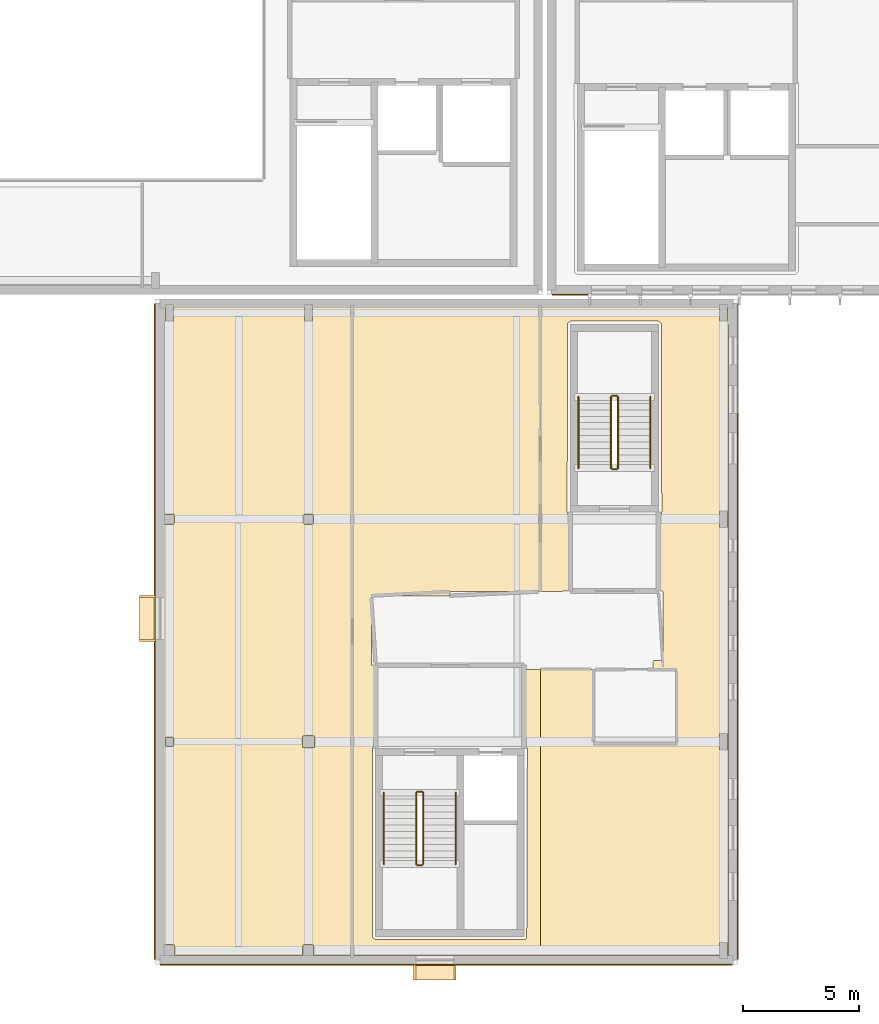
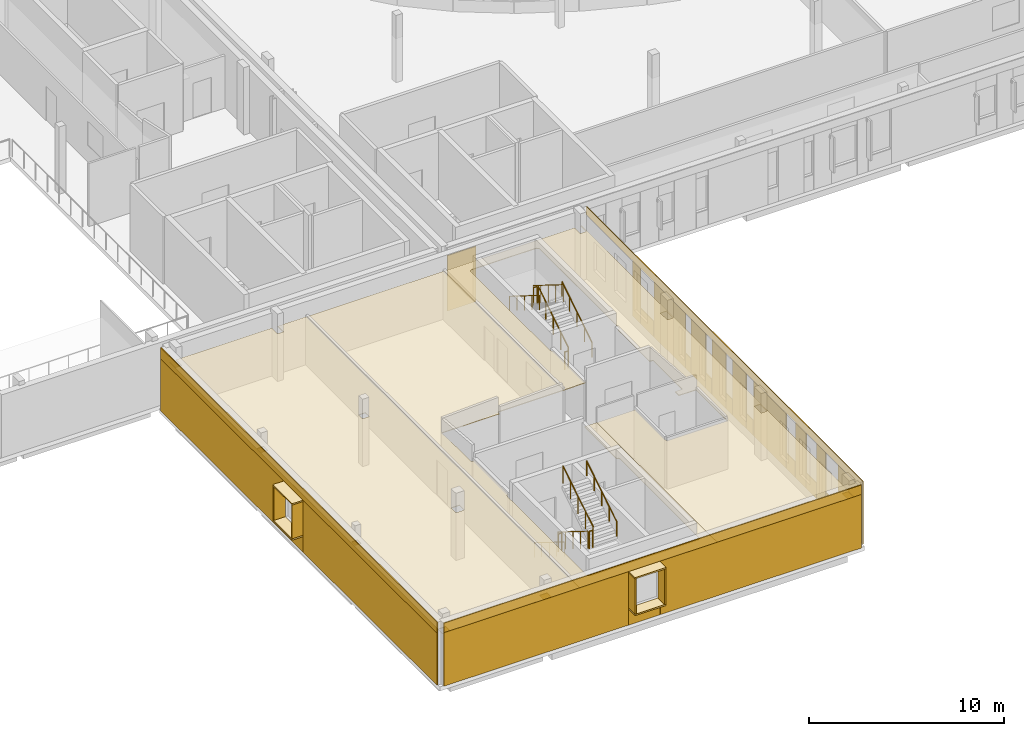
# One storey, part 54 of 73: 38 coverings, 12 railings.
"""IFC4 building model written with IfcOpenShell, lengths in metres."""

import ifcopenshell
import ifcopenshell.guid

model = None  # the IFC model being written
_history = None  # IfcOwnerHistory: only IFC2X3 demands one
_inside = {}  # id of a spatial element -> (the spatial element, [elements in it])
_under = {}  # id of a project, library or spatial element -> (it, [spatial elements below it])
_declared = {}  # id of a project -> (the project, [libraries it declares])
_typed = {}  # id of a type object -> (the type object, [elements of that type])
_made_of = {}  # id of a material, layer set ... -> (it, [elements and type objects made of it])


def new_model(schema):
    """Start an empty IFC model of exactly this schema.

    Asked for "IFC4X3", IfcOpenShell would pick the latest addendum, in which some entities
    have other attributes; the version numbers below select the first issue.
    IFC2X3 requires an IfcOwnerHistory on every rooted entity: one is made here for all.
    """
    global model, _history
    if schema == "IFC4X3":
        model = ifcopenshell.file(schema_version=(4, 3, 0, 0))
    else:
        model = ifcopenshell.file(schema=schema)
    _inside.clear()
    _under.clear()
    _declared.clear()
    _typed.clear()
    _made_of.clear()
    _history = None
    if model.schema == "IFC2X3":
        org = make("IfcOrganization", Name="unknown")
        user = make(
            "IfcPersonAndOrganization",
            ThePerson=make("IfcPerson", FamilyName="unknown"),
            TheOrganization=org,
        )
        app = make(
            "IfcApplication",
            ApplicationDeveloper=org,
            Version="unknown",
            ApplicationFullName="unknown",
            ApplicationIdentifier="unknown",
        )
        _history = make(
            "IfcOwnerHistory",
            OwningUser=user,
            OwningApplication=app,
            ChangeAction="ADDED",
            CreationDate=0,
        )
    return model


def make(cls, **values):
    """One entity of the class cls with the attributes given. An attribute that is None is left unset."""
    return model.create_entity(
        cls, **{name: value for name, value in values.items() if value is not None}
    )


def rooted(cls, **values):
    """An entity with a GlobalId (a new one), such as an element, a storey or a relation."""
    return make(cls, GlobalId=ifcopenshell.guid.new(), OwnerHistory=_history, **values)


def si_unit(unit_type, name, prefix=None):
    """IfcSIUnit, for example si_unit("LENGTHUNIT", "METRE", prefix="MILLI")."""
    return make("IfcSIUnit", UnitType=unit_type, Prefix=prefix, Name=name)


def assignment(units):
    """IfcUnitAssignment: the units of a project."""
    return None if units is None else make("IfcUnitAssignment", Units=units)


def point(xyz):
    """IfcCartesianPoint."""
    return None if xyz is None else make("IfcCartesianPoint", Coordinates=xyz)


def direction(xyz):
    """IfcDirection."""
    return None if xyz is None else make("IfcDirection", DirectionRatios=xyz)


def frame(location, z_axis=None, x_axis=None):
    """IfcAxis2Placement3D, a coordinate frame: its origin and axes. An axis left out is left unset."""
    return make(
        "IfcAxis2Placement3D",
        Location=point(location),
        Axis=direction(z_axis),
        RefDirection=direction(x_axis),
    )


def frame_2d(location, x_axis=None):
    """IfcAxis2Placement2D, a coordinate frame in the plane: its origin and x axis."""
    return make(
        "IfcAxis2Placement2D", Location=point(location), RefDirection=direction(x_axis)
    )


def origin():
    """The frame at (0, 0, 0) with its axes left unset."""
    return frame((0.0, 0.0, 0.0))


def origin_2d():
    """The frame at (0, 0) in the plane with its x axis left unset."""
    return frame_2d((0.0, 0.0))


def place(relative_to, where):
    """IfcLocalPlacement: puts the frame where relative to a parent placement (None: the world)."""
    return make(
        "IfcLocalPlacement", PlacementRelTo=relative_to, RelativePlacement=where
    )


def context(
    kind, dimensions, precision=None, world=None, true_north=None, identifier=None
):
    """IfcGeometricRepresentationContext, for example the 3D "Model" context."""
    return make(
        "IfcGeometricRepresentationContext",
        ContextIdentifier=identifier,
        ContextType=kind,
        CoordinateSpaceDimension=dimensions,
        Precision=precision,
        WorldCoordinateSystem=world,
        TrueNorth=true_north,
    )


def subcontext(parent, identifier, kind, view, scale=None):
    """IfcGeometricRepresentationSubContext, for example "Body" below "Model"."""
    return make(
        "IfcGeometricRepresentationSubContext",
        ContextIdentifier=identifier,
        ContextType=kind,
        ParentContext=parent,
        TargetScale=scale,
        TargetView=view,
    )


def project(units=None, contexts=None):
    """IfcProject with its units and contexts."""
    return rooted(
        "IfcProject",
        Name="project",
        RepresentationContexts=contexts,
        UnitsInContext=assignment(units),
    )


def spatial(cls, under=None, at=None, **own):
    """A site, building, storey or space (cls), placed at a placement, below another one or the project."""
    s = rooted(cls, ObjectPlacement=at, **own)
    if under is not None:
        _under.setdefault(under.id(), (under, []))[1].append(s)
    return s


def polyline(points):
    """IfcPolyline through the points."""
    return make("IfcPolyline", Points=[point(p) for p in points])


def profile(cls, at=None, kind="AREA", **sizes):
    """A parametric profile (cls). Its sizes go by their IFC names, for example OverallWidth=200.0."""
    return make(cls, ProfileType=kind, Position=at, **sizes)


def rectangle(**sizes):
    """IfcRectangleProfileDef."""
    return profile("IfcRectangleProfileDef", **sizes)


def circle(**sizes):
    """IfcCircleProfileDef."""
    return profile("IfcCircleProfileDef", **sizes)


def outline(outer, holes=None, kind="AREA"):
    """IfcArbitraryClosedProfileDef: a profile drawn as a closed curve; with holes, ...WithVoids."""
    if holes is None:
        return make("IfcArbitraryClosedProfileDef", ProfileType=kind, OuterCurve=outer)
    return make(
        "IfcArbitraryProfileDefWithVoids",
        ProfileType=kind,
        OuterCurve=outer,
        InnerCurves=holes,
    )


def extrude(swept, where, along, depth):
    """IfcExtrudedAreaSolid: the profile swept, set in the frame where, extruded along a direction by depth."""
    return make(
        "IfcExtrudedAreaSolid",
        SweptArea=swept,
        Position=where,
        ExtrudedDirection=direction(along),
        Depth=depth,
    )


def shape(context_of_items, identifier, shape_type, items):
    """IfcShapeRepresentation: the items that make up one representation, for example the "Body"."""
    return make(
        "IfcShapeRepresentation",
        ContextOfItems=context_of_items,
        RepresentationIdentifier=identifier,
        RepresentationType=shape_type,
        Items=items,
    )


def material(Name=None, Category=None):
    """IfcMaterial."""
    return make("IfcMaterial", Name=Name, Category=Category)


def layer(
    of_material, thickness, ventilated=None, Name=None, Category=None, Priority=None
):
    """IfcMaterialLayer: one layer of a wall or slab, of a material (None: an air gap)."""
    return make(
        "IfcMaterialLayer",
        Material=of_material,
        LayerThickness=thickness,
        IsVentilated=ventilated,
        Name=Name,
        Category=Category,
        Priority=Priority,
    )


def layer_set(layers, Name=None):
    """IfcMaterialLayerSet."""
    return make("IfcMaterialLayerSet", MaterialLayers=layers, LayerSetName=Name)


def made_of(thing, what):
    """Note that an element or type object is made of a material, layer set ...; save() writes the relation."""
    if what is not None:
        _made_of.setdefault(what.id(), (what, []))[1].append(thing)
    return thing


def type_object(cls, material=None, **own):
    """A type object (cls), such as IfcWallType, which elements share."""
    return made_of(rooted(cls, **own), material)


def element(
    cls,
    number,
    at=None,
    inside=None,
    cuts=None,
    type_object=None,
    material=None,
    context=None,
    identifier="Body",
    shape_type=None,
    held_by="IfcProductDefinitionShape",
    body=None,
    shapes=None,
    **own,
):
    """One element of the class cls, such as IfcWall. Its Tag is "e" and its number.

    at: its placement. inside: the storey or other place that contains it. cuts: it is an
    opening in that element (IfcRelVoidsElement). A single representation is given by context,
    identifier, shape_type and body (its items); several are given by shapes. held_by: the class
    of the entity that holds the representations. save() writes the other relations.
    """
    e = rooted(cls, Tag="e%d" % number, ObjectPlacement=at, **own)
    if body is not None:
        shapes = [shape(context, identifier, shape_type, body)]
    if shapes is not None:
        e.Representation = make(held_by, Representations=shapes)
    if inside is not None:
        _inside.setdefault(inside.id(), (inside, []))[1].append(e)
    if cuts is not None:
        rooted(
            "IfcRelVoidsElement", RelatingBuildingElement=cuts, RelatedOpeningElement=e
        )
    if type_object is not None:
        _typed.setdefault(type_object.id(), (type_object, []))[1].append(e)
    return made_of(e, material)


def aggregate(whole, parts):
    """IfcRelAggregates: a whole, such as a stair, and the parts it consists of."""
    return rooted("IfcRelAggregates", RelatingObject=whole, RelatedObjects=parts)


def save(model, path):
    """Write the relations noted so far, then the file.

    IfcRelAggregates (storeys below a building ...), IfcRelContainedInSpatialStructure (elements
    in a storey), IfcRelDefinesByType, IfcRelAssociatesMaterial and IfcRelDeclares: one each for
    every whole, place, type object, material and project.
    """
    for whole, parts in _under.values():
        aggregate(whole, parts)
    for where, things in _inside.values():
        rooted(
            "IfcRelContainedInSpatialStructure",
            RelatedElements=things,
            RelatingStructure=where,
        )
    for kind, things in _typed.values():
        rooted("IfcRelDefinesByType", RelatedObjects=things, RelatingType=kind)
    for what, things in _made_of.values():
        rooted("IfcRelAssociatesMaterial", RelatedObjects=things, RelatingMaterial=what)
    for by, libraries in _declared.values():
        rooted("IfcRelDeclares", RelatingContext=by, RelatedDefinitions=libraries)
    model.write(path)


model = new_model("IFC4")

# Units and contexts
model_context = context("Model", 3, precision=1e-05, world=origin(), true_north=direction((0.0, 1.0)))
body_context = subcontext(model_context, "Body", "Model", "MODEL_VIEW")
ifc_project = project(units=[si_unit("LENGTHUNIT", "METRE"), si_unit("AREAUNIT", "SQUARE_METRE"), si_unit("VOLUMEUNIT", "CUBIC_METRE"), si_unit("PLANEANGLEUNIT", "RADIAN"), si_unit("MASSUNIT", "GRAM", prefix="KILO")], contexts=[model_context])

# Site, building, storey
site_placement = place(None, origin())
site = spatial("IfcSite", under=ifc_project, at=site_placement, CompositionType="ELEMENT")
building_placement = place(site_placement, origin())
building = spatial("IfcBuilding", under=site, at=building_placement, Name="Mzevani Central Library", CompositionType="ELEMENT")
storey_placement = place(building_placement, frame((0.0, 0.0, 9.60009765625)))
storey = spatial("IfcBuildingStorey", under=building, at=storey_placement, Name="L02", CompositionType="ELEMENT", Elevation=9.60009765625)

# Railings
ifc_material_1 = material(Name="Brushed stainless steel rail", Category="steel")
railing_type_1 = type_object("IfcRailingType", Name="Interior Gallery and Stair Guard 1100", PredefinedType="BALUSTRADE", material=ifc_material_1)
railing_1_placement = place(storey_placement, frame((40.449951171875, 21.0, 0.1748046875)))
element("IfcRailing", 1, at=railing_1_placement, inside=storey, type_object=railing_type_1, Name="L02 ST-07 stair guard 1", PredefinedType="BALUSTRADE", context=body_context, shape_type="SweptSolid", body=[
    extrude(circle(Radius=0.02392578125, at=origin_2d()), frame((0.0, 0.0, 1.076171875), z_axis=(0.0, -0.847998304005, 0.529998940003), x_axis=(1.0, 0.0, 0.0)), (0.0, 0.0, 1.0), 3.632080078125),
    extrude(circle(Radius=0.02099609375, at=origin_2d()), origin(), (0.0, 0.0, 1.0), 1.052001953125),
    extrude(circle(Radius=0.02099609375, at=origin_2d()), frame((0.0, -0.77001953125, 0.481201171875)), (0.0, 0.0, 1.0), 1.052001953125),
    extrude(circle(Radius=0.02099609375, at=origin_2d()), frame((0.0, -1.5400390625, 0.96240234375)), (0.0, 0.0, 1.0), 1.052001953125),
    extrude(circle(Radius=0.02099609375, at=origin_2d()), frame((0.0, -2.31005859375, 1.44384765625)), (0.0, 0.0, 1.0), 1.052001953125),
    extrude(circle(Radius=0.02099609375, at=origin_2d()), frame((0.0, -3.080078125, 1.925048828125)), (0.0, 0.0, 1.0), 1.052001953125),
])
railing_2_placement = place(storey_placement, frame((40.5, 17.8701171875, 2.099853515625)))
element("IfcRailing", 2, at=railing_2_placement, inside=storey, type_object=railing_type_1, Name="L02 ST-07 stair guard 2", PredefinedType="BALUSTRADE", context=body_context, shape_type="SweptSolid", body=[
    extrude(circle(Radius=0.02392578125, at=origin_2d()), frame((0.0, 0.0, 1.076171875), z_axis=(1.0, 0.0, 0.0), x_axis=(0.0, 1.0, 0.0)), (0.0, 0.0, 1.0), 0.199951171875),
    extrude(circle(Radius=0.02099609375, at=origin_2d()), origin(), (0.0, 0.0, 1.0), 1.052001953125),
    extrude(circle(Radius=0.02099609375, at=origin_2d()), frame((0.199951171875, 0.0, 0.0)), (0.0, 0.0, 1.0), 1.052001953125),
])
railing_3_placement = place(storey_placement, frame((40.75, 17.919921875, 2.27490234375)))
element("IfcRailing", 3, at=railing_3_placement, inside=storey, type_object=railing_type_1, Name="L02 ST-07 stair guard 3", PredefinedType="BALUSTRADE", context=body_context, shape_type="SweptSolid", body=[
    extrude(circle(Radius=0.02392578125, at=origin_2d()), frame((0.0, 0.0, 1.076171875), z_axis=(0.0, 0.847998304005, 0.529998940003), x_axis=(-1.0, 0.0, 0.0)), (0.0, 0.0, 1.0), 3.632080078125),
    extrude(circle(Radius=0.02099609375, at=origin_2d()), origin(), (0.0, 0.0, 1.0), 1.052001953125),
    extrude(circle(Radius=0.02099609375, at=origin_2d()), frame((0.0, 0.77001953125, 0.481201171875)), (0.0, 0.0, 1.0), 1.052001953125),
    extrude(circle(Radius=0.02099609375, at=origin_2d()), frame((0.0, 1.5400390625, 0.96240234375)), (0.0, 0.0, 1.0), 1.052001953125),
    extrude(circle(Radius=0.02099609375, at=origin_2d()), frame((0.0, 2.31005859375, 1.44384765625)), (0.0, 0.0, 1.0), 1.052001953125),
    extrude(circle(Radius=0.02099609375, at=origin_2d()), frame((0.0, 3.080078125, 1.925048828125)), (0.0, 0.0, 1.0), 1.052001953125),
])
railing_4_placement = place(storey_placement, frame((40.5, 21.050048828125, 0.0)))
element("IfcRailing", 4, at=railing_4_placement, inside=storey, type_object=railing_type_1, Name="L02 ST-07 stair guard 4", PredefinedType="BALUSTRADE", context=body_context, shape_type="SweptSolid", body=[
    extrude(circle(Radius=0.02392578125, at=origin_2d()), frame((0.0, 0.0, 1.076171875), z_axis=(1.0, 0.0, 0.0), x_axis=(0.0, 1.0, 0.0)), (0.0, 0.0, 1.0), 0.199951171875),
    extrude(circle(Radius=0.02099609375, at=origin_2d()), origin(), (0.0, 0.0, 1.0), 1.052001953125),
    extrude(circle(Radius=0.02099609375, at=origin_2d()), frame((0.199951171875, 0.0, 0.0)), (0.0, 0.0, 1.0), 1.052001953125),
])
railing_5_placement = place(storey_placement, frame((49.14990234375, 35.0, 0.1748046875)))
element("IfcRailing", 5, at=railing_5_placement, inside=storey, type_object=railing_type_1, Name="L02 ST-08 stair guard 1", PredefinedType="BALUSTRADE", context=body_context, shape_type="SweptSolid", body=[
    extrude(circle(Radius=0.02392578125, at=origin_2d()), frame((0.0, 0.0, 1.076171875), z_axis=(0.0, 0.847998304005, 0.529998940003), x_axis=(-1.0, 0.0, 0.0)), (0.0, 0.0, 1.0), 3.632080078125),
    extrude(circle(Radius=0.02099609375, at=origin_2d()), origin(), (0.0, 0.0, 1.0), 1.052001953125),
    extrude(circle(Radius=0.02099609375, at=origin_2d()), frame((0.0, 0.77001953125, 0.481201171875)), (0.0, 0.0, 1.0), 1.052001953125),
    extrude(circle(Radius=0.02099609375, at=origin_2d()), frame((0.0, 1.5400390625, 0.96240234375)), (0.0, 0.0, 1.0), 1.052001953125),
    extrude(circle(Radius=0.02099609375, at=origin_2d()), frame((0.0, 2.31005859375, 1.44384765625)), (0.0, 0.0, 1.0), 1.052001953125),
    extrude(circle(Radius=0.02099609375, at=origin_2d()), frame((0.0, 3.080078125, 1.925048828125)), (0.0, 0.0, 1.0), 1.052001953125),
])
railing_6_placement = place(storey_placement, frame((49.10009765625, 38.1298828125, 2.099853515625)))
element("IfcRailing", 6, at=railing_6_placement, inside=storey, type_object=railing_type_1, Name="L02 ST-08 stair guard 2", PredefinedType="BALUSTRADE", context=body_context, shape_type="SweptSolid", body=[
    extrude(circle(Radius=0.02392578125, at=origin_2d()), frame((0.0, 0.0, 1.076171875), z_axis=(-1.0, 0.0, 0.0), x_axis=(0.0, -1.0, 0.0)), (0.0, 0.0, 1.0), 0.2001953125),
    extrude(circle(Radius=0.02099609375, at=origin_2d()), origin(), (0.0, 0.0, 1.0), 1.052001953125),
    extrude(circle(Radius=0.02099609375, at=origin_2d()), frame((-0.2001953125, 0.0, 0.0)), (0.0, 0.0, 1.0), 1.052001953125),
])
railing_7_placement = place(storey_placement, frame((48.85009765625, 38.080078125, 2.27490234375)))
element("IfcRailing", 7, at=railing_7_placement, inside=storey, type_object=railing_type_1, Name="L02 ST-08 stair guard 3", PredefinedType="BALUSTRADE", context=body_context, shape_type="SweptSolid", body=[
    extrude(circle(Radius=0.02392578125, at=origin_2d()), frame((0.0, 0.0, 1.076171875), z_axis=(0.0, -0.847998304005, 0.529998940003), x_axis=(1.0, 0.0, 0.0)), (0.0, 0.0, 1.0), 3.632080078125),
    extrude(circle(Radius=0.02099609375, at=origin_2d()), origin(), (0.0, 0.0, 1.0), 1.052001953125),
    extrude(circle(Radius=0.02099609375, at=origin_2d()), frame((0.0, -0.77001953125, 0.481201171875)), (0.0, 0.0, 1.0), 1.052001953125),
    extrude(circle(Radius=0.02099609375, at=origin_2d()), frame((0.0, -1.5400390625, 0.96240234375)), (0.0, 0.0, 1.0), 1.052001953125),
    extrude(circle(Radius=0.02099609375, at=origin_2d()), frame((0.0, -2.31005859375, 1.44384765625)), (0.0, 0.0, 1.0), 1.052001953125),
    extrude(circle(Radius=0.02099609375, at=origin_2d()), frame((0.0, -3.080078125, 1.925048828125)), (0.0, 0.0, 1.0), 1.052001953125),
])
railing_8_placement = place(storey_placement, frame((49.10009765625, 34.949951171875, 0.0)))
element("IfcRailing", 8, at=railing_8_placement, inside=storey, type_object=railing_type_1, Name="L02 ST-08 stair guard 4", PredefinedType="BALUSTRADE", context=body_context, shape_type="SweptSolid", body=[
    extrude(circle(Radius=0.02392578125, at=origin_2d()), frame((0.0, 0.0, 1.076171875), z_axis=(-1.0, 0.0, 0.0), x_axis=(0.0, -1.0, 0.0)), (0.0, 0.0, 1.0), 0.2001953125),
    extrude(circle(Radius=0.02099609375, at=origin_2d()), origin(), (0.0, 0.0, 1.0), 1.052001953125),
    extrude(circle(Radius=0.02099609375, at=origin_2d()), frame((-0.2001953125, 0.0, 0.0)), (0.0, 0.0, 1.0), 1.052001953125),
])

# Coverings
ifc_material_2 = material(Name="Limestone ashlar cladding", Category="masonry")
ifc_layer_1 = layer(ifc_material_2, 0.050048828125, Name="Limestone Ashlar Spandrel Cladding")
ifc_layer_set_1 = layer_set([ifc_layer_1], Name="Limestone ashlar cladding")
covering_type_1 = type_object("IfcCoveringType", Name="Limestone Ashlar Spandrel Cladding", PredefinedType="CLADDING", material=ifc_layer_set_1)
covering_1_placement = place(storey_placement, frame((47.14990234375, 42.47607421875, 0.0), z_axis=(0.0, 0.0, 1.0), x_axis=(-1.0, 0.0, 0.0)))
element("IfcCovering", 9, at=covering_1_placement, inside=storey, type_object=covering_type_1, Name="L02 Warm-White Facade Pier 76 (EW4-V1-L02-0011)", PredefinedType="CLADDING", context=body_context, shape_type="SweptSolid", body=[
    extrude(rectangle(XDim=1.679931640625, YDim=0.050048828125, at=origin_2d()), origin(), (0.0, 0.0, 1.0), 3.449951171875),
])
for number, where, z_axis, x_axis, name in (
    (10, (41.255615234375, 13.261962890625, 3.25), (0.0, 0.0, 1.0), (-1.0, 0.0, 0.0), "L02 Deep Window Reveal HD (REV4-0163)"),
    (11, (41.255615234375, 13.261962890625, 0.9599609375), (0.0, 0.0, 1.0), (-1.0, 0.0, 0.0), "L02 Deep Window Reveal SL (REV4-0163)"),
):
    element("IfcCovering", number, at=place(storey_placement, frame(where, z_axis=z_axis, x_axis=x_axis)), inside=storey, type_object=covering_type_1, Name=name, PredefinedType="CLADDING", context=body_context, shape_type="SweptSolid", body=[
        extrude(rectangle(XDim=1.830078125, YDim=0.679931640625, at=origin_2d()), origin(), (0.0, 0.0, 1.0), 0.090087890625),
    ])
for number, where, z_axis, x_axis, name in (
    (12, (42.12548828125, 13.261962890625, 1.0498046875), (0.0, 0.0, 1.0), (-1.0, 0.0, 0.0), "L02 Deep Window Reveal JL (REV4-0163)"),
    (13, (40.385498046875, 13.261962890625, 1.0498046875), (0.0, 0.0, 1.0), (-1.0, 0.0, 0.0), "L02 Deep Window Reveal JR (REV4-0163)"),
):
    element("IfcCovering", number, at=place(storey_placement, frame(where, z_axis=z_axis, x_axis=x_axis)), inside=storey, type_object=covering_type_1, Name=name, PredefinedType="CLADDING", context=body_context, shape_type="SweptSolid", body=[
        extrude(rectangle(XDim=0.090087890625, YDim=0.679931640625, at=origin_2d()), origin(), (0.0, 0.0, 1.0), 2.199951171875),
    ])
covering_2_placement = place(storey_placement, frame((41.75, 13.575927734375, 3.35009765625), z_axis=(0.0, 0.0, 1.0), x_axis=(-1.0, 0.0, 0.0)))
element("IfcCovering", 14, at=covering_2_placement, inside=storey, type_object=covering_type_1, Name="L02 Warm-White Facade Spandrel (EW4-V4-L02-0080)", PredefinedType="CLADDING", context=body_context, shape_type="SweptSolid", body=[
    extrude(rectangle(XDim=24.679931640625, YDim=0.050048828125, at=origin_2d()), origin(), (0.0, 0.0, 1.0), 0.590087890625),
])
covering_3_placement = place(storey_placement, frame((48.145263671875, 13.575927734375, -0.000244140625), z_axis=(0.0, 0.0, 1.0), x_axis=(-1.0, 0.0, 0.0)))
element("IfcCovering", 15, at=covering_3_placement, inside=storey, type_object=covering_type_1, Name="L02 Warm-White Facade Pier 1 (EW4-V4-L02-0080)", PredefinedType="CLADDING", context=body_context, shape_type="SweptSolid", body=[
    extrude(rectangle(XDim=11.889404296875, YDim=0.050048828125, at=origin_2d()), origin(), (0.0, 0.0, 1.0), 3.35009765625),
])
covering_4_placement = place(storey_placement, frame((41.255615234375, 13.575927734375, 0.0), z_axis=(0.0, 0.0, 1.0), x_axis=(-1.0, 0.0, 0.0)))
element("IfcCovering", 16, at=covering_4_placement, inside=storey, type_object=covering_type_1, Name="L02 Warm-White Sill Cladding 2 (EW4-V4-L02-0080)", PredefinedType="CLADDING", context=body_context, shape_type="SweptSolid", body=[
    extrude(rectangle(XDim=1.85009765625, YDim=0.050048828125, at=origin_2d()), origin(), (0.0, 0.0, 1.0), 0.949951171875),
])
covering_5_placement = place(storey_placement, frame((34.8603515625, 13.575927734375, -0.000244140625), z_axis=(0.0, 0.0, 1.0), x_axis=(-1.0, 0.0, 0.0)))
element("IfcCovering", 17, at=covering_5_placement, inside=storey, type_object=covering_type_1, Name="L02 Warm-White Facade Pier 3 (EW4-V4-L02-0080)", PredefinedType="CLADDING", context=body_context, shape_type="SweptSolid", body=[
    extrude(rectangle(XDim=10.900634765625, YDim=0.050048828125, at=origin_2d()), origin(), (0.0, 0.0, 1.0), 3.35009765625),
])
for number, where, z_axis, x_axis, name in (
    (18, (28.862060546875, 28.516357421875, 3.14990234375), (0.0, 0.0, 1.0), (0.0, 1.0, 0.0), "L02 Deep Window Reveal HD (REV4-0164)"),
    (19, (28.862060546875, 28.516357421875, 0.9599609375), (0.0, 0.0, 1.0), (0.0, 1.0, 0.0), "L02 Deep Window Reveal SL (REV4-0164)"),
):
    element("IfcCovering", number, at=place(storey_placement, frame(where, z_axis=z_axis, x_axis=x_axis)), inside=storey, type_object=covering_type_1, Name=name, PredefinedType="CLADDING", context=body_context, shape_type="SweptSolid", body=[
        extrude(rectangle(XDim=1.97998046875, YDim=0.679931640625, at=origin_2d()), origin(), (0.0, 0.0, 1.0), 0.090087890625),
    ])
for number, where, z_axis, x_axis, name in (
    (20, (28.862060546875, 27.5712890625, 1.0498046875), (0.0, 0.0, 1.0), (0.0, 1.0, 0.0), "L02 Deep Window Reveal JL (REV4-0164)"),
    (21, (28.862060546875, 29.46142578125, 1.0498046875), (0.0, 0.0, 1.0), (0.0, 1.0, 0.0), "L02 Deep Window Reveal JR (REV4-0164)"),
):
    element("IfcCovering", number, at=place(storey_placement, frame(where, z_axis=z_axis, x_axis=x_axis)), inside=storey, type_object=covering_type_1, Name=name, PredefinedType="CLADDING", context=body_context, shape_type="SweptSolid", body=[
        extrude(rectangle(XDim=0.090087890625, YDim=0.679931640625, at=origin_2d()), origin(), (0.0, 0.0, 1.0), 2.10009765625),
    ])
covering_6_placement = place(storey_placement, frame((29.176025390625, 27.949951171875, 3.25), z_axis=(0.0, 0.0, 1.0), x_axis=(0.0, 1.0, 0.0)))
element("IfcCovering", 22, at=covering_6_placement, inside=storey, type_object=covering_type_1, Name="L02 Warm-White Facade Spandrel (EW4-V4-L02-0081)", PredefinedType="CLADDING", context=body_context, shape_type="SweptSolid", body=[
    extrude(rectangle(XDim=28.280029296875, YDim=0.050048828125, at=origin_2d()), origin(), (0.0, 0.0, 1.0), 0.68994140625),
])
covering_7_placement = place(storey_placement, frame((29.176025390625, 20.6533203125, 0.0), z_axis=(0.0, 0.0, 1.0), x_axis=(0.0, 1.0, 0.0)))
element("IfcCovering", 23, at=covering_7_placement, inside=storey, type_object=covering_type_1, Name="L02 Warm-White Facade Pier 1 (EW4-V4-L02-0081)", PredefinedType="CLADDING", context=body_context, shape_type="SweptSolid", body=[
    extrude(rectangle(XDim=13.686279296875, YDim=0.050048828125, at=origin_2d()), origin(), (0.0, 0.0, 1.0), 3.25),
])
covering_8_placement = place(storey_placement, frame((29.176025390625, 28.516357421875, 0.0), z_axis=(0.0, 0.0, 1.0), x_axis=(0.0, 1.0, 0.0)))
element("IfcCovering", 24, at=covering_8_placement, inside=storey, type_object=covering_type_1, Name="L02 Warm-White Sill Cladding 2 (EW4-V4-L02-0081)", PredefinedType="CLADDING", context=body_context, shape_type="SweptSolid", body=[
    extrude(rectangle(XDim=2.0, YDim=0.050048828125, at=origin_2d()), origin(), (0.0, 0.0, 1.0), 0.949951171875),
])
covering_9_placement = place(storey_placement, frame((29.176025390625, 35.813232421875, 0.0), z_axis=(0.0, 0.0, 1.0), x_axis=(0.0, 1.0, 0.0)))
element("IfcCovering", 25, at=covering_9_placement, inside=storey, type_object=covering_type_1, Name="L02 Warm-White Facade Pier 3 (EW4-V4-L02-0081)", PredefinedType="CLADDING", context=body_context, shape_type="SweptSolid", body=[
    extrude(rectangle(XDim=12.5537109375, YDim=0.050048828125, at=origin_2d()), origin(), (0.0, 0.0, 1.0), 3.25),
])
covering_10_placement = place(storey_placement, frame((54.323974609375, 27.949951171875, 3.44970703125), z_axis=(0.0, 0.0, 1.0), x_axis=(0.0, -1.0, 0.0)))
element("IfcCovering", 26, at=covering_10_placement, inside=storey, type_object=covering_type_1, Name="L02 Warm-White Facade Spandrel (EW4-V4-L02-0083)", PredefinedType="CLADDING", context=body_context, shape_type="SweptSolid", body=[
    extrude(rectangle(XDim=28.280029296875, YDim=0.050048828125, at=origin_2d()), origin(), (0.0, 0.0, 1.0), 0.489990234375),
])
covering_11_placement = place(storey_placement, frame((54.323974609375, 36.947509765625, 0.0), z_axis=(0.0, 0.0, 1.0), x_axis=(0.0, -1.0, 0.0)))
element("IfcCovering", 27, at=covering_11_placement, inside=storey, type_object=covering_type_1, Name="L02 Warm-White Facade Pier 5 (EW4-V4-L02-0083)", PredefinedType="CLADDING", context=body_context, shape_type="SweptSolid", body=[
    extrude(rectangle(XDim=0.784912109375, YDim=0.050048828125, at=origin_2d()), origin(), (0.0, 0.0, 1.0), 3.449951171875),
])
covering_12_placement = place(storey_placement, frame((54.323974609375, 35.860107421875, 0.0), z_axis=(0.0, 0.0, 1.0), x_axis=(0.0, -1.0, 0.0)))
element("IfcCovering", 28, at=covering_12_placement, inside=storey, type_object=covering_type_1, Name="L02 Warm-White Sill Cladding 6 (EW4-V4-L02-0083)", PredefinedType="CLADDING", context=body_context, shape_type="SweptSolid", body=[
    extrude(rectangle(XDim=1.35009765625, YDim=0.050048828125, at=origin_2d()), origin(), (0.0, 0.0, 1.0), 0.949951171875),
])
covering_13_placement = place(storey_placement, frame((54.323974609375, 33.56005859375, 0.0), z_axis=(0.0, 0.0, 1.0), x_axis=(0.0, -1.0, 0.0)))
element("IfcCovering", 29, at=covering_13_placement, inside=storey, type_object=covering_type_1, Name="L02 Warm-White Facade Pier 7 (EW4-V4-L02-0083)", PredefinedType="CLADDING", context=body_context, shape_type="SweptSolid", body=[
    extrude(rectangle(XDim=3.2099609375, YDim=0.050048828125, at=origin_2d()), origin(), (0.0, 0.0, 1.0), 3.449951171875),
])
covering_14_placement = place(storey_placement, frame((54.323974609375, 31.659912109375, 0.0), z_axis=(0.0, 0.0, 1.0), x_axis=(0.0, -1.0, 0.0)))
element("IfcCovering", 30, at=covering_14_placement, inside=storey, type_object=covering_type_1, Name="L02 Warm-White Sill Cladding 8 (EW4-V4-L02-0083)", PredefinedType="CLADDING", context=body_context, shape_type="SweptSolid", body=[
    extrude(rectangle(XDim=0.550048828125, YDim=0.050048828125, at=origin_2d()), origin(), (0.0, 0.0, 1.0), 0.949951171875),
])
covering_15_placement = place(storey_placement, frame((54.323974609375, 30.62255859375, 0.0), z_axis=(0.0, 0.0, 1.0), x_axis=(0.0, -1.0, 0.0)))
element("IfcCovering", 31, at=covering_15_placement, inside=storey, type_object=covering_type_1, Name="L02 Warm-White Facade Pier 9 (EW4-V4-L02-0083)", PredefinedType="CLADDING", context=body_context, shape_type="SweptSolid", body=[
    extrude(rectangle(XDim=1.485107421875, YDim=0.050048828125, at=origin_2d()), origin(), (0.0, 0.0, 1.0), 3.449951171875),
])
covering_16_placement = place(storey_placement, frame((54.323974609375, 29.56005859375, 0.0), z_axis=(0.0, 0.0, 1.0), x_axis=(0.0, -1.0, 0.0)))
element("IfcCovering", 32, at=covering_16_placement, inside=storey, type_object=covering_type_1, Name="L02 Warm-White Sill Cladding 10 (EW4-V4-L02-0083)", PredefinedType="CLADDING", context=body_context, shape_type="SweptSolid", body=[
    extrude(rectangle(XDim=0.60009765625, YDim=0.050048828125, at=origin_2d()), origin(), (0.0, 0.0, 1.0), 0.949951171875),
])
covering_17_placement = place(storey_placement, frame((54.323974609375, 28.5224609375, 0.0), z_axis=(0.0, 0.0, 1.0), x_axis=(0.0, -1.0, 0.0)))
element("IfcCovering", 33, at=covering_17_placement, inside=storey, type_object=covering_type_1, Name="L02 Warm-White Facade Pier 11 (EW4-V4-L02-0083)", PredefinedType="CLADDING", context=body_context, shape_type="SweptSolid", body=[
    extrude(rectangle(XDim=1.43505859375, YDim=0.050048828125, at=origin_2d()), origin(), (0.0, 0.0, 1.0), 3.449951171875),
])
covering_18_placement = place(storey_placement, frame((54.323974609375, 27.4599609375, 0.0), z_axis=(0.0, 0.0, 1.0), x_axis=(0.0, -1.0, 0.0)))
element("IfcCovering", 34, at=covering_18_placement, inside=storey, type_object=covering_type_1, Name="L02 Warm-White Sill Cladding 12 (EW4-V4-L02-0083)", PredefinedType="CLADDING", context=body_context, shape_type="SweptSolid", body=[
    extrude(rectangle(XDim=0.64990234375, YDim=0.050048828125, at=origin_2d()), origin(), (0.0, 0.0, 1.0), 0.949951171875),
])
covering_19_placement = place(storey_placement, frame((54.323974609375, 26.422607421875, 0.0), z_axis=(0.0, 0.0, 1.0), x_axis=(0.0, -1.0, 0.0)))
element("IfcCovering", 35, at=covering_19_placement, inside=storey, type_object=covering_type_1, Name="L02 Warm-White Facade Pier 13 (EW4-V4-L02-0083)", PredefinedType="CLADDING", context=body_context, shape_type="SweptSolid", body=[
    extrude(rectangle(XDim=1.385009765625, YDim=0.050048828125, at=origin_2d()), origin(), (0.0, 0.0, 1.0), 3.449951171875),
])
covering_20_placement = place(storey_placement, frame((54.323974609375, 25.360107421875, 0.0), z_axis=(0.0, 0.0, 1.0), x_axis=(0.0, -1.0, 0.0)))
element("IfcCovering", 36, at=covering_20_placement, inside=storey, type_object=covering_type_1, Name="L02 Warm-White Sill Cladding 14 (EW4-V4-L02-0083)", PredefinedType="CLADDING", context=body_context, shape_type="SweptSolid", body=[
    extrude(rectangle(XDim=0.699951171875, YDim=0.050048828125, at=origin_2d()), origin(), (0.0, 0.0, 1.0), 0.949951171875),
])
covering_21_placement = place(storey_placement, frame((54.323974609375, 23.31005859375, 0.0), z_axis=(0.0, 0.0, 1.0), x_axis=(0.0, -1.0, 0.0)))
element("IfcCovering", 37, at=covering_21_placement, inside=storey, type_object=covering_type_1, Name="L02 Warm-White Facade Pier 15 (EW4-V4-L02-0083)", PredefinedType="CLADDING", context=body_context, shape_type="SweptSolid", body=[
    extrude(rectangle(XDim=3.360107421875, YDim=0.050048828125, at=origin_2d()), origin(), (0.0, 0.0, 1.0), 3.449951171875),
])
covering_22_placement = place(storey_placement, frame((54.323974609375, 21.159912109375, 0.0), z_axis=(0.0, 0.0, 1.0), x_axis=(0.0, -1.0, 0.0)))
element("IfcCovering", 38, at=covering_22_placement, inside=storey, type_object=covering_type_1, Name="L02 Warm-White Sill Cladding 16 (EW4-V4-L02-0083)", PredefinedType="CLADDING", context=body_context, shape_type="SweptSolid", body=[
    extrude(rectangle(XDim=0.89990234375, YDim=0.050048828125, at=origin_2d()), origin(), (0.0, 0.0, 1.0), 0.949951171875),
])
covering_23_placement = place(storey_placement, frame((54.323974609375, 20.1474609375, 0.0), z_axis=(0.0, 0.0, 1.0), x_axis=(0.0, -1.0, 0.0)))
element("IfcCovering", 39, at=covering_23_placement, inside=storey, type_object=covering_type_1, Name="L02 Warm-White Facade Pier 17 (EW4-V4-L02-0083)", PredefinedType="CLADDING", context=body_context, shape_type="SweptSolid", body=[
    extrude(rectangle(XDim=1.0849609375, YDim=0.050048828125, at=origin_2d()), origin(), (0.0, 0.0, 1.0), 3.449951171875),
])
covering_24_placement = place(storey_placement, frame((54.323974609375, 19.06005859375, 0.0), z_axis=(0.0, 0.0, 1.0), x_axis=(0.0, -1.0, 0.0)))
element("IfcCovering", 40, at=covering_24_placement, inside=storey, type_object=covering_type_1, Name="L02 Warm-White Sill Cladding 18 (EW4-V4-L02-0083)", PredefinedType="CLADDING", context=body_context, shape_type="SweptSolid", body=[
    extrude(rectangle(XDim=1.050048828125, YDim=0.050048828125, at=origin_2d()), origin(), (0.0, 0.0, 1.0), 0.949951171875),
])
covering_25_placement = place(storey_placement, frame((54.323974609375, 18.047607421875, 0.0), z_axis=(0.0, 0.0, 1.0), x_axis=(0.0, -1.0, 0.0)))
element("IfcCovering", 41, at=covering_25_placement, inside=storey, type_object=covering_type_1, Name="L02 Warm-White Facade Pier 19 (EW4-V4-L02-0083)", PredefinedType="CLADDING", context=body_context, shape_type="SweptSolid", body=[
    extrude(rectangle(XDim=0.93505859375, YDim=0.050048828125, at=origin_2d()), origin(), (0.0, 0.0, 1.0), 3.449951171875),
])
covering_26_placement = place(storey_placement, frame((54.323974609375, 16.9599609375, 0.0), z_axis=(0.0, 0.0, 1.0), x_axis=(0.0, -1.0, 0.0)))
element("IfcCovering", 42, at=covering_26_placement, inside=storey, type_object=covering_type_1, Name="L02 Warm-White Sill Cladding 20 (EW4-V4-L02-0083)", PredefinedType="CLADDING", context=body_context, shape_type="SweptSolid", body=[
    extrude(rectangle(XDim=1.199951171875, YDim=0.050048828125, at=origin_2d()), origin(), (0.0, 0.0, 1.0), 0.949951171875),
])
covering_27_placement = place(storey_placement, frame((54.323974609375, 15.074951171875, 0.0), z_axis=(0.0, 0.0, 1.0), x_axis=(0.0, -1.0, 0.0)))
element("IfcCovering", 43, at=covering_27_placement, inside=storey, type_object=covering_type_1, Name="L02 Warm-White Facade Pier 21 (EW4-V4-L02-0083)", PredefinedType="CLADDING", context=body_context, shape_type="SweptSolid", body=[
    extrude(rectangle(XDim=2.530029296875, YDim=0.050048828125, at=origin_2d()), origin(), (0.0, 0.0, 1.0), 3.449951171875),
])
ifc_material_3 = material(Name="Mineral wool acoustic ceiling")
ifc_layer_2 = layer(ifc_material_3, 0.0400390625, Name="Perforated Timber Acoustic Ceiling")
ifc_layer_set_2 = layer_set([ifc_layer_2], Name="Mineral wool acoustic ceiling")
covering_type_2 = type_object("IfcCoveringType", Name="Perforated Timber Acoustic Ceiling", PredefinedType="CEILING", material=ifc_layer_set_2)
covering_28_placement = place(storey_placement, frame((0.0, 0.0, 2.949951171875)))
element("IfcCovering", 44, at=covering_28_placement, inside=storey, type_object=covering_type_2, Name="L02 Civic Innovation Seminar Suite Acoustic Ceiling", PredefinedType="CEILING", context=body_context, shape_type="SweptSolid", body=[
    extrude(outline(polyline([(29.570068359375, 41.9208984375), (29.625, 41.929931640625), (29.625, 41.35009765625), (29.97509765625, 41.35009765625), (29.97509765625, 41.929931640625), (35.625, 41.929931640625), (35.625, 41.35009765625), (35.97509765625, 41.35009765625), (35.97509765625, 41.929931640625), (37.702880859375, 41.9228515625), (37.6962890625, 13.970458984375), (29.580078125, 13.969970703125), (29.5703125, 13.97705078125), (29.570068359375, 41.9208984375)]), holes=[polyline([(30.02490234375, 13.97509765625), (30.02490234375, 14.425048828125), (29.574951171875, 14.425048828125), (29.574951171875, 13.97509765625), (30.02490234375, 13.97509765625)]), polyline([(29.625, 23.02490234375), (29.97509765625, 23.02490234375), (29.97509765625, 23.375), (29.625, 23.375), (29.625, 23.02490234375)]), polyline([(29.60009765625, 33.0), (29.60009765625, 32.60009765625), (30.0, 32.60009765625), (30.0, 33.0), (29.60009765625, 33.0)]), polyline([(36.02490234375, 13.97509765625), (36.02490234375, 14.425048828125), (35.574951171875, 14.425048828125), (35.574951171875, 13.97509765625), (36.02490234375, 13.97509765625)]), polyline([(35.550048828125, 22.949951171875), (36.050048828125, 22.949951171875), (36.050048828125, 23.449951171875), (35.550048828125, 23.449951171875), (35.550048828125, 22.949951171875)]), polyline([(35.60009765625, 33.0), (35.60009765625, 32.60009765625), (36.0, 32.60009765625), (36.0, 33.0), (35.60009765625, 33.0)])]), origin(), (0.0, 0.0, 1.0), 0.0400390625),
])
covering_29_placement = place(storey_placement, frame((0.0, 0.0, 2.949951171875)))
element("IfcCovering", 45, at=covering_29_placement, inside=storey, type_object=covering_type_2, Name="L02 Graphic Design and Printing Studio Acoustic Ceiling", PredefinedType="CEILING", context=body_context, shape_type="SweptSolid", body=[
    extrude(outline(polyline([(37.68505859375, 13.974365234375), (37.68359375, 41.9228515625), (45.8095703125, 41.9296875), (45.8154296875, 29.67529296875), (41.909912109375, 29.669921875), (41.90087890625, 29.489990234375), (38.510009765625, 29.489990234375), (38.510009765625, 26.510009765625), (38.7099609375, 26.5), (38.7099609375, 23.050048828125), (38.6015625, 22.998291015625), (38.56005859375, 22.89794921875), (38.5712890625, 14.748046875), (38.702880859375, 14.659912109375), (45.097412109375, 14.659912109375), (45.214599609375, 14.72265625), (45.239990234375, 22.89794921875), (45.198486328125, 22.998291015625), (45.090087890625, 23.050048828125), (45.090087890625, 26.321044921875), (45.8154296875, 26.32470703125), (45.81640625, 13.97705078125), (37.68505859375, 13.974365234375)])), origin(), (0.0, 0.0, 1.0), 0.0400390625),
])
covering_30_placement = place(storey_placement, frame((0.0, 0.0, 2.949951171875)))
element("IfcCovering", 46, at=covering_30_placement, inside=storey, type_object=covering_type_2, Name="L02 Public Outreach Administration Office Acoustic Ceiling", PredefinedType="CEILING", context=body_context, shape_type="SweptSolid", body=[
    extrude(outline(polyline([(53.922119140625, 13.97021484375), (53.875, 13.969970703125), (53.875, 14.550048828125), (53.52490234375, 14.550048828125), (53.52490234375, 13.969970703125), (45.797119140625, 13.97705078125), (45.79833984375, 26.32568359375), (48.098388671875, 26.32568359375), (48.10009765625, 23.1298828125), (51.679931640625, 23.1298828125), (51.679931640625, 26.31005859375), (50.669921875, 26.320068359375), (50.6728515625, 26.70703125), (51.090087890625, 26.7099609375), (51.090087890625, 29.68994140625), (50.889892578125, 29.699951171875), (50.889892578125, 32.949951171875), (50.998291015625, 33.001708984375), (51.0400390625, 33.10205078125), (51.033447265625, 41.238525390625), (50.896728515625, 41.340087890625), (47.10302734375, 41.340087890625), (46.971435546875, 41.251953125), (46.9599609375, 33.10205078125), (47.001708984375, 33.001708984375), (47.110107421875, 32.949951171875), (47.110107421875, 29.698974609375), (45.805908203125, 29.669921875), (45.8037109375, 41.9296875), (53.52490234375, 41.929931640625), (53.52490234375, 41.35009765625), (53.875, 41.35009765625), (53.875, 41.929931640625), (53.9296875, 41.9228515625), (53.922119140625, 13.97021484375)]), holes=[polyline([(53.52490234375, 22.85009765625), (53.875, 22.85009765625), (53.875, 23.550048828125), (53.52490234375, 23.550048828125), (53.52490234375, 22.85009765625)]), polyline([(53.52490234375, 33.14990234375), (53.52490234375, 32.449951171875), (53.875, 32.449951171875), (53.875, 33.14990234375), (53.52490234375, 33.14990234375)])]), origin(), (0.0, 0.0, 1.0), 0.0400390625),
])

# Railings
railing_type_2 = type_object("IfcRailingType", Name="Stair Wall Handrail 920", PredefinedType="HANDRAIL", material=ifc_material_1)
railing_9_placement = place(storey_placement, frame((39.050048828125, 21.0, 0.1748046875)))
element("IfcRailing", 47, at=railing_9_placement, inside=storey, type_object=railing_type_2, Name="L02 ST-07 stair handrail 1", PredefinedType="HANDRAIL", context=body_context, shape_type="SweptSolid", body=[
    extrude(circle(Radius=0.02392578125, at=origin_2d()), frame((0.0, 0.0, 0.89599609375), z_axis=(0.0, -0.847998304005, 0.529998940003), x_axis=(1.0, 0.0, 0.0)), (0.0, 0.0, 1.0), 3.632080078125),
    extrude(circle(Radius=0.02099609375, at=origin_2d()), origin(), (0.0, 0.0, 1.0), 0.871826171875),
    extrude(circle(Radius=0.02099609375, at=origin_2d()), frame((0.0, -0.77001953125, 0.481201171875)), (0.0, 0.0, 1.0), 0.871826171875),
    extrude(circle(Radius=0.02099609375, at=origin_2d()), frame((0.0, -1.5400390625, 0.96240234375)), (0.0, 0.0, 1.0), 0.871826171875),
    extrude(circle(Radius=0.02099609375, at=origin_2d()), frame((0.0, -2.31005859375, 1.44384765625)), (0.0, 0.0, 1.0), 0.871826171875),
    extrude(circle(Radius=0.02099609375, at=origin_2d()), frame((0.0, -3.080078125, 1.925048828125)), (0.0, 0.0, 1.0), 0.871826171875),
])
for number, where, name in (
    (48, (42.14990234375, 17.919921875, 2.27490234375), "L02 ST-07 stair handrail 2"),
    (49, (50.550048828125, 35.0, 0.1748046875), "L02 ST-08 stair handrail 1"),
):
    element("IfcRailing", number, at=place(storey_placement, frame(where)), inside=storey, type_object=railing_type_2, Name=name, PredefinedType="HANDRAIL", context=body_context, shape_type="SweptSolid", body=[
        extrude(circle(Radius=0.02392578125, at=origin_2d()), frame((0.0, 0.0, 0.89599609375), z_axis=(0.0, 0.847998304005, 0.529998940003), x_axis=(-1.0, 0.0, 0.0)), (0.0, 0.0, 1.0), 3.632080078125),
        extrude(circle(Radius=0.02099609375, at=origin_2d()), origin(), (0.0, 0.0, 1.0), 0.871826171875),
        extrude(circle(Radius=0.02099609375, at=origin_2d()), frame((0.0, 0.77001953125, 0.481201171875)), (0.0, 0.0, 1.0), 0.871826171875),
        extrude(circle(Radius=0.02099609375, at=origin_2d()), frame((0.0, 1.5400390625, 0.96240234375)), (0.0, 0.0, 1.0), 0.871826171875),
        extrude(circle(Radius=0.02099609375, at=origin_2d()), frame((0.0, 2.31005859375, 1.44384765625)), (0.0, 0.0, 1.0), 0.871826171875),
        extrude(circle(Radius=0.02099609375, at=origin_2d()), frame((0.0, 3.080078125, 1.925048828125)), (0.0, 0.0, 1.0), 0.871826171875),
    ])
railing_10_placement = place(storey_placement, frame((47.449951171875, 38.080078125, 2.27490234375)))
element("IfcRailing", 50, at=railing_10_placement, inside=storey, type_object=railing_type_2, Name="L02 ST-08 stair handrail 2", PredefinedType="HANDRAIL", context=body_context, shape_type="SweptSolid", body=[
    extrude(circle(Radius=0.02392578125, at=origin_2d()), frame((0.0, 0.0, 0.89599609375), z_axis=(0.0, -0.847998304005, 0.529998940003), x_axis=(1.0, 0.0, 0.0)), (0.0, 0.0, 1.0), 3.632080078125),
    extrude(circle(Radius=0.02099609375, at=origin_2d()), origin(), (0.0, 0.0, 1.0), 0.871826171875),
    extrude(circle(Radius=0.02099609375, at=origin_2d()), frame((0.0, -0.77001953125, 0.481201171875)), (0.0, 0.0, 1.0), 0.871826171875),
    extrude(circle(Radius=0.02099609375, at=origin_2d()), frame((0.0, -1.5400390625, 0.96240234375)), (0.0, 0.0, 1.0), 0.871826171875),
    extrude(circle(Radius=0.02099609375, at=origin_2d()), frame((0.0, -2.31005859375, 1.44384765625)), (0.0, 0.0, 1.0), 0.871826171875),
    extrude(circle(Radius=0.02099609375, at=origin_2d()), frame((0.0, -3.080078125, 1.925048828125)), (0.0, 0.0, 1.0), 0.871826171875),
])

save(model, "model.ifc")
